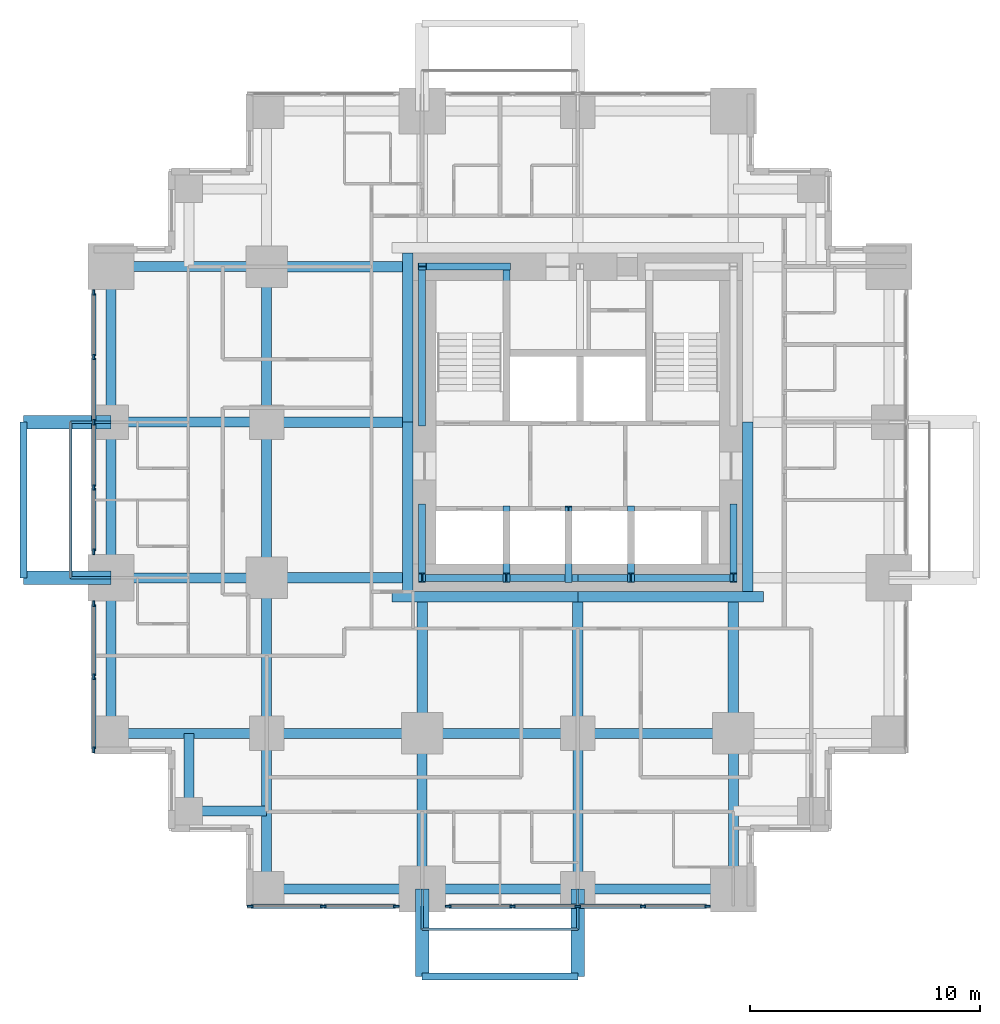
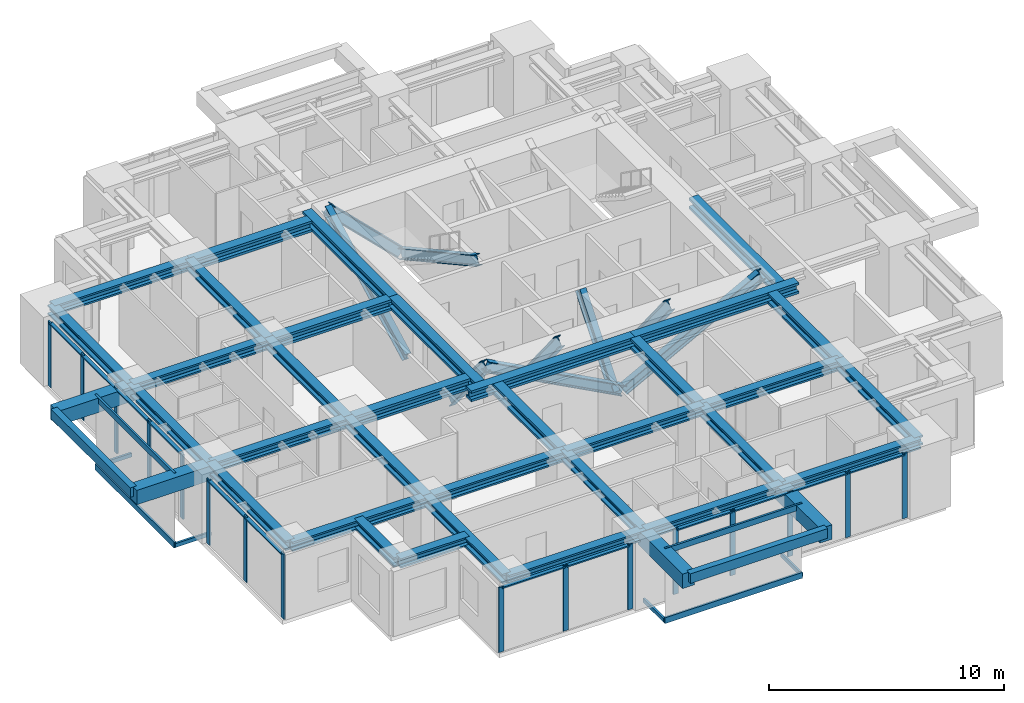
# One storey, part 2 of 10: 46 members, 39 beams, 4 elements without a shape of their own.
"""IFC4 building model written with IfcOpenShell, lengths in metres."""

from ifc_helpers import new_model, si_unit, direction, frame, origin, origin_2d, place, context, subcontext, project, spatial, rectangle, hollow_rectangle, i_section, extrude, material, material_profile, profile_set, type_object, element, aggregate, save


model = new_model("IFC4")

# Units and contexts
model_context = context("Model", 3, precision=1e-05, world=origin(), true_north=direction((0.0, 1.0)))
body_context = subcontext(model_context, "Body", "Model", "MODEL_VIEW")
ifc_project = project(units=[si_unit("LENGTHUNIT", "METRE"), si_unit("AREAUNIT", "SQUARE_METRE"), si_unit("VOLUMEUNIT", "CUBIC_METRE"), si_unit("PLANEANGLEUNIT", "RADIAN"), si_unit("MASSUNIT", "GRAM", prefix="KILO")], contexts=[model_context])

# Site, building, storey
site_placement = place(None, origin())
site = spatial("IfcSite", under=ifc_project, at=site_placement, CompositionType="ELEMENT")
building_placement = place(site_placement, origin())
building = spatial("IfcBuilding", under=site, at=building_placement, Name="Nyansa Garden Tower", CompositionType="ELEMENT")
storey_placement = place(building_placement, frame((0.0, 0.0, 145.800048828125)))
storey = spatial("IfcBuildingStorey", under=building, at=storey_placement, Name="L39", CompositionType="ELEMENT", Elevation=145.800048828125)

# Beams
ifc_material_1 = material(Name="Concrete C70/85", Category="concrete")
ifc_material_profile_1 = material_profile(ifc_material_1, rectangle(XDim=0.60009765625, YDim=0.75, at=origin_2d()), Name="RC 600x750")
ifc_profile_set_1 = profile_set([ifc_material_profile_1], Name="Concrete C70/85")
beam_type_1 = type_object("IfcBeamType", Name="Balcony cantilever beam CB1 RC 600x750", PredefinedType="BEAM", material=ifc_profile_set_1)
for number, where, z_axis, x_axis, name in (
    (1, (13.5, 0.0, 2.98486328125), (0.0, -1.0, 0.0), (1.0, 0.0, 0.0), "Balcony cantilever beam L40"),
    (2, (20.25, 0.0, 2.98486328125), (0.0, -1.0, 0.0), (1.0, 0.0, 0.0), "Balcony cantilever beam L40"),
    (3, (0.0, 13.5, 2.98486328125), (-1.0, 0.0, 0.0), (0.0, -1.0, 0.0), "Balcony cantilever beam L40"),
    (4, (0.0, 20.25, 2.98486328125), (-1.0, 0.0, 0.0), (0.0, -1.0, 0.0), "Balcony cantilever beam L40"),
):
    element("IfcBeam", number, at=place(storey_placement, frame(where, z_axis=z_axis, x_axis=x_axis)), inside=storey, type_object=beam_type_1, Name=name, PredefinedType="BEAM", context=body_context, shape_type="SweptSolid", body=[
        extrude(rectangle(XDim=0.60009765625, YDim=0.75, at=origin_2d()), origin(), (0.0, 0.0, 1.0), 3.800048828125),
    ])
ifc_material_2 = material(Name="Concrete C70/85", Category="concrete")
ifc_material_profile_2 = material_profile(ifc_material_2, rectangle(XDim=0.300048828125, YDim=0.5, at=origin_2d()), Name="RC 300x500")
ifc_profile_set_2 = profile_set([ifc_material_profile_2], Name="Concrete C70/85")
beam_type_2 = type_object("IfcBeamType", Name="Balcony edge beam BE1 RC 300x500", PredefinedType="BEAM", material=ifc_profile_set_2)
for number, where, z_axis, x_axis, name in (
    (5, (13.5, -3.800048828125, 3.10986328125), (1.0, 0.0, 0.0), (0.0, 1.0, 0.0), "Balcony edge beam L40"),
    (6, (-3.800048828125, 13.5, 3.10986328125), (0.0, 1.0, 0.0), (-1.0, 0.0, 0.0), "Balcony edge beam L40"),
):
    element("IfcBeam", number, at=place(storey_placement, frame(where, z_axis=z_axis, x_axis=x_axis)), inside=storey, type_object=beam_type_2, Name=name, PredefinedType="BEAM", context=body_context, shape_type="SweptSolid", body=[
        extrude(rectangle(XDim=0.300048828125, YDim=0.5, at=origin_2d()), origin(), (0.0, 0.0, 1.0), 6.75),
    ])

# Curtain wall, members
ifc_material_3 = material(Name="Black anodised aluminium, dark tinted double glazing", Category="aluminium")
curtain_wall_type = type_object("IfcCurtainWallType", Name="Inner skin curtain wall ISW-C", PredefinedType="USERDEFINED", material=ifc_material_3)
curtain_wall_1_placement = place(storey_placement, origin())
curtain_wall_1 = element("IfcCurtainWall", 7, at=curtain_wall_1_placement, inside=storey, type_object=curtain_wall_type, Name="Inner skin curtain wall L39 W", ObjectType="UNITISED CURTAIN WALL", PredefinedType="USERDEFINED")
ifc_material_4 = material(Name="Black anodised aluminium", Category="aluminium")
ifc_material_profile_3 = material_profile(ifc_material_4, rectangle(XDim=0.070068359375, YDim=0.25, at=origin_2d()), Name="Mullion 250x70")
ifc_profile_set_3 = profile_set([ifc_material_profile_3], Name="Black anodised aluminium")
member_type_1 = type_object("IfcMemberType", Name="Mullion ISW-C 250x70", PredefinedType="MULLION", material=ifc_profile_set_3)
member_1_placement = place(storey_placement, frame((-0.75, 25.875, 0.0), z_axis=(0.0, 0.0, 1.0), x_axis=(1.0, 0.0, 0.0)))
member_1 = element("IfcMember", 8, at=member_1_placement, type_object=member_type_1, Name="ISW-C mullion 1", PredefinedType="MULLION", context=body_context, shape_type="SweptSolid", body=[
    extrude(rectangle(XDim=0.070068359375, YDim=0.25, at=origin_2d()), origin(), (0.0, 0.0, 1.0), 3.375),
])
member_2_placement = place(storey_placement, frame((-0.75, 23.080078125, 0.0), z_axis=(0.0, 0.0, 1.0), x_axis=(1.0, 0.0, 0.0)))
member_2 = element("IfcMember", 9, at=member_2_placement, type_object=member_type_1, Name="ISW-C mullion 2", PredefinedType="MULLION", context=body_context, shape_type="SweptSolid", body=[
    extrude(rectangle(XDim=0.070068359375, YDim=0.25, at=origin_2d()), origin(), (0.0, 0.0, 1.0), 3.375),
])
member_3_placement = place(storey_placement, frame((-0.75, 20.25, 0.0), z_axis=(0.0, 0.0, 1.0), x_axis=(1.0, 0.0, 0.0)))
member_3 = element("IfcMember", 10, at=member_3_placement, type_object=member_type_1, Name="ISW-C mullion 3", PredefinedType="MULLION", context=body_context, shape_type="SweptSolid", body=[
    extrude(rectangle(XDim=0.070068359375, YDim=0.25, at=origin_2d()), origin(), (0.0, 0.0, 1.0), 3.375),
])
member_4_placement = place(storey_placement, frame((-0.75, 17.419921875, 0.0), z_axis=(0.0, 0.0, 1.0), x_axis=(1.0, 0.0, 0.0)))
member_4 = element("IfcMember", 11, at=member_4_placement, type_object=member_type_1, Name="ISW-C mullion 4", PredefinedType="MULLION", context=body_context, shape_type="SweptSolid", body=[
    extrude(rectangle(XDim=0.070068359375, YDim=0.25, at=origin_2d()), origin(), (0.0, 0.0, 1.0), 3.375),
])
member_5_placement = place(storey_placement, frame((-0.75, 14.625, 0.0), z_axis=(0.0, 0.0, 1.0), x_axis=(1.0, 0.0, 0.0)))
member_5 = element("IfcMember", 12, at=member_5_placement, type_object=member_type_1, Name="ISW-C mullion 5", PredefinedType="MULLION", context=body_context, shape_type="SweptSolid", body=[
    extrude(rectangle(XDim=0.070068359375, YDim=0.25, at=origin_2d()), origin(), (0.0, 0.0, 1.0), 3.375),
])

curtain_wall_2_placement = place(storey_placement, origin())
curtain_wall_2 = element("IfcCurtainWall", 13, at=curtain_wall_2_placement, inside=storey, type_object=curtain_wall_type, Name="Inner skin curtain wall L39 W", ObjectType="UNITISED CURTAIN WALL", PredefinedType="USERDEFINED")
member_6_placement = place(storey_placement, frame((-0.75, 12.375, 0.0), z_axis=(0.0, 0.0, 1.0), x_axis=(1.0, 0.0, 0.0)))
member_6 = element("IfcMember", 14, at=member_6_placement, type_object=member_type_1, Name="ISW-C mullion 1", PredefinedType="MULLION", context=body_context, shape_type="SweptSolid", body=[
    extrude(rectangle(XDim=0.070068359375, YDim=0.25, at=origin_2d()), origin(), (0.0, 0.0, 1.0), 3.375),
])
member_7_placement = place(storey_placement, frame((-0.75, 9.205078125, 0.0), z_axis=(0.0, 0.0, 1.0), x_axis=(1.0, 0.0, 0.0)))
member_7 = element("IfcMember", 15, at=member_7_placement, type_object=member_type_1, Name="ISW-C mullion 2", PredefinedType="MULLION", context=body_context, shape_type="SweptSolid", body=[
    extrude(rectangle(XDim=0.070068359375, YDim=0.25, at=origin_2d()), origin(), (0.0, 0.0, 1.0), 3.375),
])
member_8_placement = place(storey_placement, frame((-0.75, 6.034912109375, 0.0), z_axis=(0.0, 0.0, 1.0), x_axis=(1.0, 0.0, 0.0)))
member_8 = element("IfcMember", 16, at=member_8_placement, type_object=member_type_1, Name="ISW-C mullion 3", PredefinedType="MULLION", context=body_context, shape_type="SweptSolid", body=[
    extrude(rectangle(XDim=0.070068359375, YDim=0.25, at=origin_2d()), origin(), (0.0, 0.0, 1.0), 3.375),
])

curtain_wall_3_placement = place(storey_placement, origin())
curtain_wall_3 = element("IfcCurtainWall", 17, at=curtain_wall_3_placement, inside=storey, type_object=curtain_wall_type, Name="Inner skin curtain wall L39 S", ObjectType="UNITISED CURTAIN WALL", PredefinedType="USERDEFINED")
member_9_placement = place(storey_placement, frame((6.034912109375, -0.75, 0.0), z_axis=(0.0, 0.0, 1.0), x_axis=(0.0, 1.0, 0.0)))
member_9 = element("IfcMember", 18, at=member_9_placement, type_object=member_type_1, Name="ISW-C mullion 1", PredefinedType="MULLION", context=body_context, shape_type="SweptSolid", body=[
    extrude(rectangle(XDim=0.070068359375, YDim=0.25, at=origin_2d()), origin(), (0.0, 0.0, 1.0), 3.375),
])
member_10_placement = place(storey_placement, frame((9.205078125, -0.75, 0.0), z_axis=(0.0, 0.0, 1.0), x_axis=(0.0, 1.0, 0.0)))
member_10 = element("IfcMember", 19, at=member_10_placement, type_object=member_type_1, Name="ISW-C mullion 2", PredefinedType="MULLION", context=body_context, shape_type="SweptSolid", body=[
    extrude(rectangle(XDim=0.070068359375, YDim=0.25, at=origin_2d()), origin(), (0.0, 0.0, 1.0), 3.375),
])
member_11_placement = place(storey_placement, frame((12.375, -0.75, 0.0), z_axis=(0.0, 0.0, 1.0), x_axis=(0.0, 1.0, 0.0)))
member_11 = element("IfcMember", 20, at=member_11_placement, type_object=member_type_1, Name="ISW-C mullion 3", PredefinedType="MULLION", context=body_context, shape_type="SweptSolid", body=[
    extrude(rectangle(XDim=0.070068359375, YDim=0.25, at=origin_2d()), origin(), (0.0, 0.0, 1.0), 3.375),
])

curtain_wall_4_placement = place(storey_placement, origin())
curtain_wall_4 = element("IfcCurtainWall", 21, at=curtain_wall_4_placement, inside=storey, type_object=curtain_wall_type, Name="Inner skin curtain wall L39 S", ObjectType="UNITISED CURTAIN WALL", PredefinedType="USERDEFINED")
member_12_placement = place(storey_placement, frame((14.625, -0.75, 0.0), z_axis=(0.0, 0.0, 1.0), x_axis=(0.0, 1.0, 0.0)))
member_12 = element("IfcMember", 22, at=member_12_placement, type_object=member_type_1, Name="ISW-C mullion 1", PredefinedType="MULLION", context=body_context, shape_type="SweptSolid", body=[
    extrude(rectangle(XDim=0.070068359375, YDim=0.25, at=origin_2d()), origin(), (0.0, 0.0, 1.0), 3.375),
])
member_13_placement = place(storey_placement, frame((17.419921875, -0.75, 0.0), z_axis=(0.0, 0.0, 1.0), x_axis=(0.0, 1.0, 0.0)))
member_13 = element("IfcMember", 23, at=member_13_placement, type_object=member_type_1, Name="ISW-C mullion 2", PredefinedType="MULLION", context=body_context, shape_type="SweptSolid", body=[
    extrude(rectangle(XDim=0.070068359375, YDim=0.25, at=origin_2d()), origin(), (0.0, 0.0, 1.0), 3.375),
])
member_14_placement = place(storey_placement, frame((20.25, -0.75, 0.0), z_axis=(0.0, 0.0, 1.0), x_axis=(0.0, 1.0, 0.0)))
member_14 = element("IfcMember", 24, at=member_14_placement, type_object=member_type_1, Name="ISW-C mullion 3", PredefinedType="MULLION", context=body_context, shape_type="SweptSolid", body=[
    extrude(rectangle(XDim=0.070068359375, YDim=0.25, at=origin_2d()), origin(), (0.0, 0.0, 1.0), 3.375),
])
member_15_placement = place(storey_placement, frame((23.080078125, -0.75, 0.0), z_axis=(0.0, 0.0, 1.0), x_axis=(0.0, 1.0, 0.0)))
member_15 = element("IfcMember", 25, at=member_15_placement, type_object=member_type_1, Name="ISW-C mullion 4", PredefinedType="MULLION", context=body_context, shape_type="SweptSolid", body=[
    extrude(rectangle(XDim=0.070068359375, YDim=0.25, at=origin_2d()), origin(), (0.0, 0.0, 1.0), 3.375),
])
member_16_placement = place(storey_placement, frame((25.875, -0.75, 0.0), z_axis=(0.0, 0.0, 1.0), x_axis=(0.0, 1.0, 0.0)))
member_16 = element("IfcMember", 26, at=member_16_placement, type_object=member_type_1, Name="ISW-C mullion 5", PredefinedType="MULLION", context=body_context, shape_type="SweptSolid", body=[
    extrude(rectangle(XDim=0.070068359375, YDim=0.25, at=origin_2d()), origin(), (0.0, 0.0, 1.0), 3.375),
])

# Members
ifc_material_5 = material(Name="Steel S355, black powder coated", Category="steel")
ifc_material_profile_4 = material_profile(ifc_material_5, hollow_rectangle(XDim=0.10009765625, YDim=0.199951171875, WallThickness=0.008056640625, at=origin_2d()), Name="RHS 200x100x8")
ifc_profile_set_4 = profile_set([ifc_material_profile_4], Name="Steel S355, black powder coated")
member_type_2 = type_object("IfcMemberType", Name="Outer skin bracket arm RHS 200x100x8", PredefinedType="USERDEFINED", material=ifc_profile_set_4)
for number, where, z_axis, x_axis, name in (
    (27, (0.0, 13.5, -0.375), (-1.0, 0.0, 0.0), (0.0, -1.0, 0.0), "Outer skin bracket arm"),
    (28, (0.0, 20.25, -0.375), (-1.0, 0.0, 0.0), (0.0, -1.0, 0.0), "Outer skin bracket arm"),
    (29, (13.5, 0.0, -0.375), (0.0, -1.0, 0.0), (1.0, 0.0, 0.0), "Outer skin bracket arm"),
    (30, (20.25, 0.0, -0.375), (0.0, -1.0, 0.0), (1.0, 0.0, 0.0), "Outer skin bracket arm"),
):
    element("IfcMember", number, at=place(storey_placement, frame(where, z_axis=z_axis, x_axis=x_axis)), inside=storey, type_object=member_type_2, Name=name, ObjectType="OUTER SKIN BRACKET", PredefinedType="USERDEFINED", context=body_context, shape_type="SweptSolid", body=[
        extrude(hollow_rectangle(XDim=0.10009765625, YDim=0.199951171875, WallThickness=0.008056640625, at=origin_2d()), origin(), (0.0, 0.0, 1.0), 1.75),
    ])
ifc_material_6 = material(Name="Steel S355, black powder coated", Category="steel")
ifc_material_profile_5 = material_profile(ifc_material_6, hollow_rectangle(XDim=0.10009765625, YDim=0.300048828125, WallThickness=0.010009765625, at=origin_2d()), Name="RHS 300x100x10")
ifc_profile_set_5 = profile_set([ifc_material_profile_5], Name="Steel S355, black powder coated")
member_type_3 = type_object("IfcMemberType", Name="Outer skin rail RHS 300x100x10", PredefinedType="USERDEFINED", material=ifc_profile_set_5)
for number, where, z_axis, x_axis, name in (
    (31, (-1.75, 13.5, -0.375), (0.0, 1.0, 0.0), (-1.0, 0.0, 0.0), "Outer skin rail L39"),
    (32, (-1.75, 13.5, 3.224853515625), (0.0, 1.0, 0.0), (-1.0, 0.0, 0.0), "Outer skin rail L39 head"),
    (33, (13.5, -1.75, -0.375), (1.0, 0.0, 0.0), (0.0, 1.0, 0.0), "Outer skin rail L39"),
    (34, (13.5, -1.75, 3.224853515625), (1.0, 0.0, 0.0), (0.0, 1.0, 0.0), "Outer skin rail L39 head"),
):
    element("IfcMember", number, at=place(storey_placement, frame(where, z_axis=z_axis, x_axis=x_axis)), inside=storey, type_object=member_type_3, Name=name, ObjectType="OUTER SKIN RAIL", PredefinedType="USERDEFINED", context=body_context, shape_type="SweptSolid", body=[
        extrude(hollow_rectangle(XDim=0.10009765625, YDim=0.300048828125, WallThickness=0.010009765625, at=origin_2d()), origin(), (0.0, 0.0, 1.0), 6.75),
    ])
ifc_material_7 = material(Name="Steel S355", Category="steel")
ifc_material_profile_6 = material_profile(ifc_material_7, i_section(OverallWidth=0.305908203125, OverallDepth=0.52392578125, WebThickness=0.02099609375, FlangeThickness=0.0400390625, FilletRadius=0.027099609375, at=origin_2d()), Name="HE 500 M")
ifc_profile_set_6 = profile_set([ifc_material_profile_6], Name="Steel S355")
member_type_4 = type_object("IfcMemberType", Name="Perimeter brace HE 500 M", PredefinedType="BRACE", material=ifc_profile_set_6)
for number, where, z_axis, x_axis, name in (
    (35, (20.25, 13.5, 0.0), (-0.882360891967, 0.0, 0.470573327259), (0.0, -1.0, 0.0), "Core brace CS1 L39"),
    (36, (20.25, 13.5, 0.0), (0.882360891967, 0.0, 0.470573327259), (0.0, 1.0, 0.0), "Core brace CS2 L39"),
):
    element("IfcMember", number, at=place(storey_placement, frame(where, z_axis=z_axis, x_axis=x_axis)), inside=storey, type_object=member_type_4, Name=name, PredefinedType="BRACE", context=body_context, shape_type="SweptSolid", body=[
        extrude(i_section(OverallWidth=0.305908203125, OverallDepth=0.52392578125, WebThickness=0.02099609375, FlangeThickness=0.0400390625, FilletRadius=0.027099609375, at=origin_2d()), origin(), (0.0, 0.0, 1.0), 7.64990234375),
    ])
member_17_placement = place(storey_placement, frame((17.14990234375, 27.0, 0.0), z_axis=(-0.711971340796, 0.0, 0.702208523079), x_axis=(0.0, -1.0, 0.0)))
element("IfcMember", 37, at=member_17_placement, inside=storey, type_object=member_type_4, Name="Core brace CN3 L39", PredefinedType="BRACE", context=body_context, shape_type="SweptSolid", body=[
    extrude(i_section(OverallWidth=0.305908203125, OverallDepth=0.52392578125, WebThickness=0.02099609375, FlangeThickness=0.0400390625, FilletRadius=0.027099609375, at=origin_2d()), origin(), (0.0, 0.0, 1.0), 5.12646484375),
])
member_18_placement = place(storey_placement, frame((13.5, 16.5, 0.0), z_axis=(0.0, -0.640199773186, 0.768208468069), x_axis=(1.0, 0.0, 0.0)))
element("IfcMember", 38, at=member_18_placement, inside=storey, type_object=member_type_4, Name="Core brace CW5 L39", PredefinedType="BRACE", context=body_context, shape_type="SweptSolid", body=[
    extrude(i_section(OverallWidth=0.305908203125, OverallDepth=0.52392578125, WebThickness=0.02099609375, FlangeThickness=0.0400390625, FilletRadius=0.027099609375, at=origin_2d()), origin(), (0.0, 0.0, 1.0), 4.68603515625),
])
member_19_placement = place(storey_placement, frame((13.5, 20.199951171875, 0.0), z_axis=(0.0, 0.883797178129, 0.467870225524), x_axis=(-1.0, 0.0, 0.0)))
element("IfcMember", 39, at=member_19_placement, inside=storey, type_object=member_type_4, Name="Core brace CW6 L39", PredefinedType="BRACE", context=body_context, shape_type="SweptSolid", body=[
    extrude(i_section(OverallWidth=0.305908203125, OverallDepth=0.52392578125, WebThickness=0.02099609375, FlangeThickness=0.0400390625, FilletRadius=0.027099609375, at=origin_2d()), origin(), (0.0, 0.0, 1.0), 7.694091796875),
])
member_20_placement = place(storey_placement, frame((27.0, 16.5, 0.0), z_axis=(0.0, -0.640199773186, 0.768208468069), x_axis=(1.0, 0.0, 0.0)))
element("IfcMember", 40, at=member_20_placement, inside=storey, type_object=member_type_4, Name="Core brace CE7 L39", PredefinedType="BRACE", context=body_context, shape_type="SweptSolid", body=[
    extrude(i_section(OverallWidth=0.305908203125, OverallDepth=0.52392578125, WebThickness=0.02099609375, FlangeThickness=0.0400390625, FilletRadius=0.027099609375, at=origin_2d()), origin(), (0.0, 0.0, 1.0), 4.68603515625),
])
member_21_placement = place(storey_placement, frame((17.14990234375, 27.0, 0.0), z_axis=(0.0, -0.876366901673, 0.481644115143), x_axis=(1.0, 0.0, 0.0)))
element("IfcMember", 41, at=member_21_placement, inside=storey, type_object=member_type_4, Name="Core brace CWS9 L39", PredefinedType="BRACE", context=body_context, shape_type="SweptSolid", body=[
    extrude(i_section(OverallWidth=0.305908203125, OverallDepth=0.52392578125, WebThickness=0.02099609375, FlangeThickness=0.0400390625, FilletRadius=0.027099609375, at=origin_2d()), origin(), (0.0, 0.0, 1.0), 7.47412109375),
])
for number, where, z_axis, x_axis, name in (
    (42, (17.14990234375, 16.39990234375, 0.0), (0.0, -0.627332207022, 0.778751758928), (1.0, 0.0, 0.0), "Core brace CSW11 L39"),
    (43, (19.85009765625, 13.5, 0.0), (0.0, 0.627332207022, 0.778751758928), (-1.0, 0.0, 0.0), "Core brace CSW12 L39"),
    (44, (22.550048828125, 16.39990234375, 0.0), (0.0, -0.627332207022, 0.778751758928), (1.0, 0.0, 0.0), "Core brace CSW13 L39"),
):
    element("IfcMember", number, at=place(storey_placement, frame(where, z_axis=z_axis, x_axis=x_axis)), inside=storey, type_object=member_type_4, Name=name, PredefinedType="BRACE", context=body_context, shape_type="SweptSolid", body=[
        extrude(i_section(OverallWidth=0.305908203125, OverallDepth=0.52392578125, WebThickness=0.02099609375, FlangeThickness=0.0400390625, FilletRadius=0.027099609375, at=origin_2d()), origin(), (0.0, 0.0, 1.0), 4.62255859375),
    ])

# Beams
ifc_material_8 = material(Name="Steel S355", Category="steel")
ifc_material_profile_7 = material_profile(ifc_material_8, i_section(OverallWidth=0.431884765625, OverallDepth=0.498046875, WebThickness=0.0556640625, FlangeThickness=0.0888671875, FilletRadius=0.014892578125, at=origin_2d()), Name="HD 400x744")
ifc_profile_set_7 = profile_set([ifc_material_profile_7], Name="Steel S355")
beam_type_3 = type_object("IfcBeamType", Name="Steel beam SBC1-744 HD 400x744", PredefinedType="BEAM", material=ifc_profile_set_7)
for number, where, z_axis, x_axis, name in (
    (45, (0.0, 6.75, 3.1259765625), (1.0, 0.0, 0.0), (0.0, 1.0, 0.0), "Steel beam 2/E-3/E L40"),
    (46, (0.0, 13.5, 3.1259765625), (1.0, 0.0, 0.0), (0.0, 1.0, 0.0), "Steel beam 2/F-3/F L40"),
    (47, (0.0, 20.25, 3.1259765625), (1.0, 0.0, 0.0), (0.0, 1.0, 0.0), "Steel beam 2/G-3/G L40"),
    (48, (0.0, 27.0, 3.1259765625), (1.0, 0.0, 0.0), (0.0, 1.0, 0.0), "Steel beam 2/H-3/H L40"),
    (49, (6.75, 0.0, 3.1259765625), (0.0, 1.0, 0.0), (-1.0, 0.0, 0.0), "Steel beam 3/D-3/E L40"),
    (50, (6.75, 6.75, 3.1259765625), (0.0, 1.0, 0.0), (-1.0, 0.0, 0.0), "Steel beam 3/E-3/F L40"),
    (51, (6.75, 6.75, 3.1259765625), (1.0, 0.0, 0.0), (0.0, 1.0, 0.0), "Steel beam 3/E-4/E L40"),
    (52, (6.75, 13.5, 3.1259765625), (0.0, 1.0, 0.0), (-1.0, 0.0, 0.0), "Steel beam 3/F-3/G L40"),
    (53, (6.75, 20.25, 3.1259765625), (0.0, 1.0, 0.0), (-1.0, 0.0, 0.0), "Steel beam 3/G-3/H L40"),
    (54, (13.5, 0.0, 3.1259765625), (0.0, 1.0, 0.0), (-1.0, 0.0, 0.0), "Steel beam 4/D-4/E L40"),
    (55, (13.5, 6.75, 3.1259765625), (1.0, 0.0, 0.0), (0.0, 1.0, 0.0), "Steel beam 4/E-5/E L40"),
    (56, (20.25, 0.0, 3.1259765625), (0.0, 1.0, 0.0), (-1.0, 0.0, 0.0), "Steel beam 5/D-5/E L40"),
    (57, (20.25, 6.75, 3.1259765625), (1.0, 0.0, 0.0), (0.0, 1.0, 0.0), "Steel beam 5/E-6/E L40"),
    (58, (27.0, 0.0, 3.1259765625), (0.0, 1.0, 0.0), (-1.0, 0.0, 0.0), "Steel beam 6/D-6/E L40"),
):
    element("IfcBeam", number, at=place(storey_placement, frame(where, z_axis=z_axis, x_axis=x_axis)), inside=storey, type_object=beam_type_3, Name=name, PredefinedType="BEAM", context=body_context, shape_type="SweptSolid", body=[
        extrude(i_section(OverallWidth=0.431884765625, OverallDepth=0.498046875, WebThickness=0.0556640625, FlangeThickness=0.0888671875, FilletRadius=0.014892578125, at=origin_2d()), origin(), (0.0, 0.0, 1.0), 6.75),
    ])
ifc_material_9 = material(Name="Steel S355", Category="steel")
ifc_material_profile_8 = material_profile(ifc_material_9, i_section(OverallWidth=0.4541015625, OverallDepth=0.569091796875, WebThickness=0.077880859375, FlangeThickness=0.125, FilletRadius=0.014892578125, at=origin_2d()), Name="HD 400x1086")
ifc_profile_set_8 = profile_set([ifc_material_profile_8], Name="Steel S355")
beam_type_4 = type_object("IfcBeamType", Name="Steel beam SCL-1086 HD 400x1086", PredefinedType="BEAM", material=ifc_profile_set_8)
for number, where, z_axis, x_axis, name in (
    (59, (6.75, 13.5, 3.09033203125), (1.0, 0.0, 0.0), (0.0, 1.0, 0.0), "Steel beam 3/F-12.650/F L40"),
    (60, (6.75, 20.25, 3.09033203125), (1.0, 0.0, 0.0), (0.0, 1.0, 0.0), "Steel beam 3/G-12.650/G L40"),
    (61, (6.75, 27.0, 3.09033203125), (1.0, 0.0, 0.0), (0.0, 1.0, 0.0), "Steel beam 3/H-12.650/H L40"),
):
    element("IfcBeam", number, at=place(storey_placement, frame(where, z_axis=z_axis, x_axis=x_axis)), inside=storey, type_object=beam_type_4, Name=name, PredefinedType="BEAM", context=body_context, shape_type="SweptSolid", body=[
        extrude(i_section(OverallWidth=0.4541015625, OverallDepth=0.569091796875, WebThickness=0.077880859375, FlangeThickness=0.125, FilletRadius=0.014892578125, at=origin_2d()), origin(), (0.0, 0.0, 1.0), 5.89990234375),
    ])
for number, where, z_axis, x_axis, name in (
    (62, (13.5, 6.75, 3.09033203125), (0.0, 1.0, 0.0), (-1.0, 0.0, 0.0), "Steel beam 4/E-4/12.450 L40"),
    (63, (20.25, 6.75, 3.09033203125), (0.0, 1.0, 0.0), (-1.0, 0.0, 0.0), "Steel beam 5/E-5/12.450 L40"),
    (64, (27.0, 6.75, 3.09033203125), (0.0, 1.0, 0.0), (-1.0, 0.0, 0.0), "Steel beam 6/E-6/12.450 L40"),
):
    element("IfcBeam", number, at=place(storey_placement, frame(where, z_axis=z_axis, x_axis=x_axis)), inside=storey, type_object=beam_type_4, Name=name, PredefinedType="BEAM", context=body_context, shape_type="SweptSolid", body=[
        extrude(i_section(OverallWidth=0.4541015625, OverallDepth=0.569091796875, WebThickness=0.077880859375, FlangeThickness=0.125, FilletRadius=0.014892578125, at=origin_2d()), origin(), (0.0, 0.0, 1.0), 5.699951171875),
    ])
for number, where, z_axis, x_axis, name in (
    (65, (12.199951171875, 12.673095703125, 3.09033203125), (1.0, 0.0, 0.0), (0.0, 1.0, 0.0), "Steel core ledger beam S.1 L40"),
    (66, (20.25, 12.673095703125, 3.09033203125), (1.0, 0.0, 0.0), (0.0, 1.0, 0.0), "Steel core ledger beam S.2 L40"),
):
    element("IfcBeam", number, at=place(storey_placement, frame(where, z_axis=z_axis, x_axis=x_axis)), inside=storey, type_object=beam_type_4, Name=name, PredefinedType="BEAM", context=body_context, shape_type="SweptSolid", body=[
        extrude(i_section(OverallWidth=0.4541015625, OverallDepth=0.569091796875, WebThickness=0.077880859375, FlangeThickness=0.125, FilletRadius=0.014892578125, at=origin_2d()), origin(), (0.0, 0.0, 1.0), 8.050048828125),
    ])
for number, where, z_axis, x_axis, name in (
    (67, (27.626953125, 12.89990234375, 3.09033203125), (0.0, 1.0, 0.0), (-1.0, 0.0, 0.0), "Steel core ledger beam E.1 L40"),
    (68, (12.873046875, 27.60009765625, 3.09033203125), (0.0, -1.0, 0.0), (1.0, 0.0, 0.0), "Steel core ledger beam W.1 L40"),
    (69, (12.873046875, 20.25, 3.09033203125), (0.0, -1.0, 0.0), (1.0, 0.0, 0.0), "Steel core ledger beam W.2 L40"),
):
    element("IfcBeam", number, at=place(storey_placement, frame(where, z_axis=z_axis, x_axis=x_axis)), inside=storey, type_object=beam_type_4, Name=name, PredefinedType="BEAM", context=body_context, shape_type="SweptSolid", body=[
        extrude(i_section(OverallWidth=0.4541015625, OverallDepth=0.569091796875, WebThickness=0.077880859375, FlangeThickness=0.125, FilletRadius=0.014892578125, at=origin_2d()), origin(), (0.0, 0.0, 1.0), 7.35009765625),
    ])
ifc_material_10 = material(Name="Steel S355", Category="steel")
ifc_material_profile_9 = material_profile(ifc_material_10, i_section(OverallWidth=0.431884765625, OverallDepth=0.498046875, WebThickness=0.0556640625, FlangeThickness=0.0888671875, FilletRadius=0.014892578125, at=origin_2d()), Name="HD 400x744")
ifc_profile_set_9 = profile_set([ifc_material_profile_9], Name="Steel S355")
beam_type_5 = type_object("IfcBeamType", Name="Steel beam SEBC-744 HD 400x744", PredefinedType="BEAM", material=ifc_profile_set_9)
for number, where, z_axis, x_axis, name in (
    (70, (0.0, 6.75, 3.1259765625), (0.0, 1.0, 0.0), (-1.0, 0.0, 0.0), "Steel edge beam 2/E-2/F L40"),
    (71, (0.0, 13.5, 3.1259765625), (0.0, 1.0, 0.0), (-1.0, 0.0, 0.0), "Steel edge beam 2/F-2/G L40"),
    (72, (0.0, 20.25, 3.1259765625), (0.0, 1.0, 0.0), (-1.0, 0.0, 0.0), "Steel edge beam 2/G-2/H L40"),
    (73, (6.75, 0.0, 3.1259765625), (1.0, 0.0, 0.0), (0.0, 1.0, 0.0), "Steel edge beam 3/D-4/D L40"),
    (74, (13.5, 0.0, 3.1259765625), (1.0, 0.0, 0.0), (0.0, 1.0, 0.0), "Steel edge beam 4/D-5/D L40"),
    (75, (20.25, 0.0, 3.1259765625), (1.0, 0.0, 0.0), (0.0, 1.0, 0.0), "Steel edge beam 5/D-6/D L40"),
):
    element("IfcBeam", number, at=place(storey_placement, frame(where, z_axis=z_axis, x_axis=x_axis)), inside=storey, type_object=beam_type_5, Name=name, PredefinedType="BEAM", context=body_context, shape_type="SweptSolid", body=[
        extrude(i_section(OverallWidth=0.431884765625, OverallDepth=0.498046875, WebThickness=0.0556640625, FlangeThickness=0.0888671875, FilletRadius=0.014892578125, at=origin_2d()), origin(), (0.0, 0.0, 1.0), 6.75),
    ])
ifc_material_11 = material(Name="Steel S355", Category="steel")
ifc_material_profile_10 = material_profile(ifc_material_11, i_section(OverallWidth=0.431884765625, OverallDepth=0.498046875, WebThickness=0.0556640625, FlangeThickness=0.0888671875, FilletRadius=0.014892578125, at=origin_2d()), Name="HD 400x744")
ifc_profile_set_10 = profile_set([ifc_material_profile_10], Name="Steel S355")
beam_type_6 = type_object("IfcBeamType", Name="Steel beam SSB1-744 HD 400x744", PredefinedType="BEAM", material=ifc_profile_set_10)
for number, where, z_axis, x_axis, name in (
    (76, (3.375, 3.375, 3.1259765625), (0.0, 1.0, 0.0), (-1.0, 0.0, 0.0), "Steel step beam 3.375/3.375 L40"),
    (77, (3.375, 3.375, 3.1259765625), (1.0, 0.0, 0.0), (0.0, 1.0, 0.0), "Steel step beam 3.375/3.375 L40"),
):
    element("IfcBeam", number, at=place(storey_placement, frame(where, z_axis=z_axis, x_axis=x_axis)), inside=storey, type_object=beam_type_6, Name=name, PredefinedType="BEAM", context=body_context, shape_type="SweptSolid", body=[
        extrude(i_section(OverallWidth=0.431884765625, OverallDepth=0.498046875, WebThickness=0.0556640625, FlangeThickness=0.0888671875, FilletRadius=0.014892578125, at=origin_2d()), origin(), (0.0, 0.0, 1.0), 3.375),
    ])

# Member
ifc_material_12 = material(Name="Black anodised aluminium", Category="aluminium")
ifc_material_profile_11 = material_profile(ifc_material_12, rectangle(XDim=0.179931640625, YDim=0.070068359375, at=origin_2d()), Name="Transom 180x70")
ifc_profile_set_11 = profile_set([ifc_material_profile_11], Name="Black anodised aluminium")
member_type_5 = type_object("IfcMemberType", Name="Transom ISW-C 180x70", PredefinedType="USERDEFINED", material=ifc_profile_set_11)
member_22_placement = place(storey_placement, frame((-0.75, 25.840087890625, 3.33984375), z_axis=(0.0, -1.0, 0.0), x_axis=(1.0, 0.0, 0.0)))
member_22 = element("IfcMember", 78, at=member_22_placement, type_object=member_type_5, Name="ISW-C transom 1", ObjectType="TRANSOM", PredefinedType="USERDEFINED", context=body_context, shape_type="SweptSolid", body=[
    extrude(rectangle(XDim=0.179931640625, YDim=0.070068359375, at=origin_2d()), origin(), (0.0, 0.0, 1.0), 2.72509765625),
])

member_23_placement = place(storey_placement, frame((-0.75, 23.044921875, 3.33984375), z_axis=(0.0, -1.0, 0.0), x_axis=(1.0, 0.0, 0.0)))
member_23 = element("IfcMember", 79, at=member_23_placement, type_object=member_type_5, Name="ISW-C transom 2", ObjectType="TRANSOM", PredefinedType="USERDEFINED", context=body_context, shape_type="SweptSolid", body=[
    extrude(rectangle(XDim=0.179931640625, YDim=0.070068359375, at=origin_2d()), origin(), (0.0, 0.0, 1.0), 2.760009765625),
])

member_24_placement = place(storey_placement, frame((-0.75, 20.215087890625, 3.33984375), z_axis=(0.0, -1.0, 0.0), x_axis=(1.0, 0.0, 0.0)))
member_24 = element("IfcMember", 80, at=member_24_placement, type_object=member_type_5, Name="ISW-C transom 3", ObjectType="TRANSOM", PredefinedType="USERDEFINED", context=body_context, shape_type="SweptSolid", body=[
    extrude(rectangle(XDim=0.179931640625, YDim=0.070068359375, at=origin_2d()), origin(), (0.0, 0.0, 1.0), 2.760009765625),
])

member_25_placement = place(storey_placement, frame((-0.75, 17.385009765625, 3.33984375), z_axis=(0.0, -1.0, 0.0), x_axis=(1.0, 0.0, 0.0)))
member_25 = element("IfcMember", 81, at=member_25_placement, type_object=member_type_5, Name="ISW-C transom 4", ObjectType="TRANSOM", PredefinedType="USERDEFINED", context=body_context, shape_type="SweptSolid", body=[
    extrude(rectangle(XDim=0.179931640625, YDim=0.070068359375, at=origin_2d()), origin(), (0.0, 0.0, 1.0), 2.72509765625),
])

aggregate(curtain_wall_1, [member_1, member_2, member_3, member_4, member_5, member_22, member_23, member_24, member_25])

member_26_placement = place(storey_placement, frame((-0.75, 12.340087890625, 3.33984375), z_axis=(0.0, -1.0, 0.0), x_axis=(1.0, 0.0, 0.0)))
member_26 = element("IfcMember", 82, at=member_26_placement, type_object=member_type_5, Name="ISW-C transom 1", ObjectType="TRANSOM", PredefinedType="USERDEFINED", context=body_context, shape_type="SweptSolid", body=[
    extrude(rectangle(XDim=0.179931640625, YDim=0.070068359375, at=origin_2d()), origin(), (0.0, 0.0, 1.0), 3.10009765625),
])

member_27_placement = place(storey_placement, frame((-0.75, 9.169921875, 3.33984375), z_axis=(0.0, -1.0, 0.0), x_axis=(1.0, 0.0, 0.0)))
member_27 = element("IfcMember", 83, at=member_27_placement, type_object=member_type_5, Name="ISW-C transom 2", ObjectType="TRANSOM", PredefinedType="USERDEFINED", context=body_context, shape_type="SweptSolid", body=[
    extrude(rectangle(XDim=0.179931640625, YDim=0.070068359375, at=origin_2d()), origin(), (0.0, 0.0, 1.0), 3.099853515625),
])

aggregate(curtain_wall_2, [member_6, member_7, member_8, member_26, member_27])

member_28_placement = place(storey_placement, frame((6.070068359375, -0.75, 3.33984375), z_axis=(1.0, 0.0, 0.0), x_axis=(0.0, 1.0, 0.0)))
member_28 = element("IfcMember", 84, at=member_28_placement, type_object=member_type_5, Name="ISW-C transom 1", ObjectType="TRANSOM", PredefinedType="USERDEFINED", context=body_context, shape_type="SweptSolid", body=[
    extrude(rectangle(XDim=0.179931640625, YDim=0.070068359375, at=origin_2d()), origin(), (0.0, 0.0, 1.0), 3.099853515625),
])

member_29_placement = place(storey_placement, frame((9.239990234375, -0.75, 3.33984375), z_axis=(1.0, 0.0, 0.0), x_axis=(0.0, 1.0, 0.0)))
member_29 = element("IfcMember", 85, at=member_29_placement, type_object=member_type_5, Name="ISW-C transom 2", ObjectType="TRANSOM", PredefinedType="USERDEFINED", context=body_context, shape_type="SweptSolid", body=[
    extrude(rectangle(XDim=0.179931640625, YDim=0.070068359375, at=origin_2d()), origin(), (0.0, 0.0, 1.0), 3.10009765625),
])

aggregate(curtain_wall_3, [member_9, member_10, member_11, member_28, member_29])

member_30_placement = place(storey_placement, frame((14.659912109375, -0.75, 3.33984375), z_axis=(1.0, 0.0, 0.0), x_axis=(0.0, 1.0, 0.0)))
member_30 = element("IfcMember", 86, at=member_30_placement, type_object=member_type_5, Name="ISW-C transom 1", ObjectType="TRANSOM", PredefinedType="USERDEFINED", context=body_context, shape_type="SweptSolid", body=[
    extrude(rectangle(XDim=0.179931640625, YDim=0.070068359375, at=origin_2d()), origin(), (0.0, 0.0, 1.0), 2.72509765625),
])

member_31_placement = place(storey_placement, frame((17.455078125, -0.75, 3.33984375), z_axis=(1.0, 0.0, 0.0), x_axis=(0.0, 1.0, 0.0)))
member_31 = element("IfcMember", 87, at=member_31_placement, type_object=member_type_5, Name="ISW-C transom 2", ObjectType="TRANSOM", PredefinedType="USERDEFINED", context=body_context, shape_type="SweptSolid", body=[
    extrude(rectangle(XDim=0.179931640625, YDim=0.070068359375, at=origin_2d()), origin(), (0.0, 0.0, 1.0), 2.760009765625),
])

member_32_placement = place(storey_placement, frame((20.284912109375, -0.75, 3.33984375), z_axis=(1.0, 0.0, 0.0), x_axis=(0.0, 1.0, 0.0)))
member_32 = element("IfcMember", 88, at=member_32_placement, type_object=member_type_5, Name="ISW-C transom 3", ObjectType="TRANSOM", PredefinedType="USERDEFINED", context=body_context, shape_type="SweptSolid", body=[
    extrude(rectangle(XDim=0.179931640625, YDim=0.070068359375, at=origin_2d()), origin(), (0.0, 0.0, 1.0), 2.760009765625),
])

member_33_placement = place(storey_placement, frame((23.114990234375, -0.75, 3.33984375), z_axis=(1.0, 0.0, 0.0), x_axis=(0.0, 1.0, 0.0)))
member_33 = element("IfcMember", 89, at=member_33_placement, type_object=member_type_5, Name="ISW-C transom 4", ObjectType="TRANSOM", PredefinedType="USERDEFINED", context=body_context, shape_type="SweptSolid", body=[
    extrude(rectangle(XDim=0.179931640625, YDim=0.070068359375, at=origin_2d()), origin(), (0.0, 0.0, 1.0), 2.72509765625),
])

aggregate(curtain_wall_4, [member_12, member_13, member_14, member_15, member_16, member_30, member_31, member_32, member_33])

save(model, "model.ifc")
